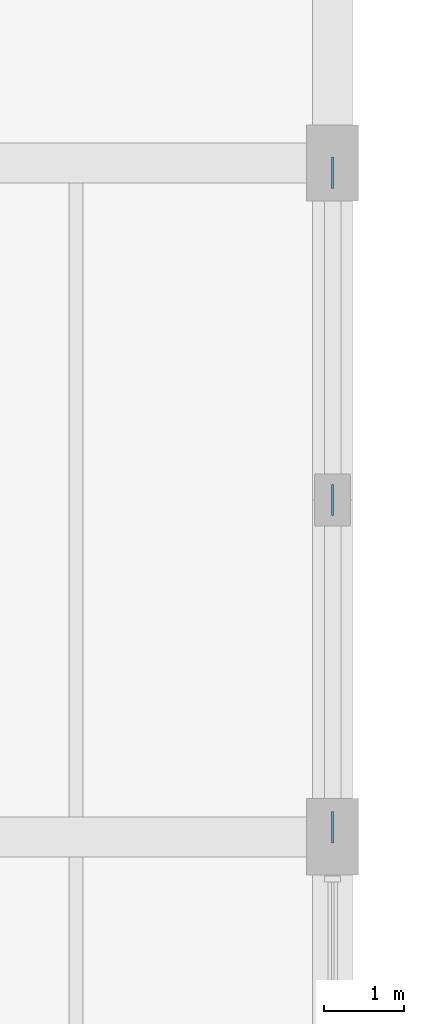
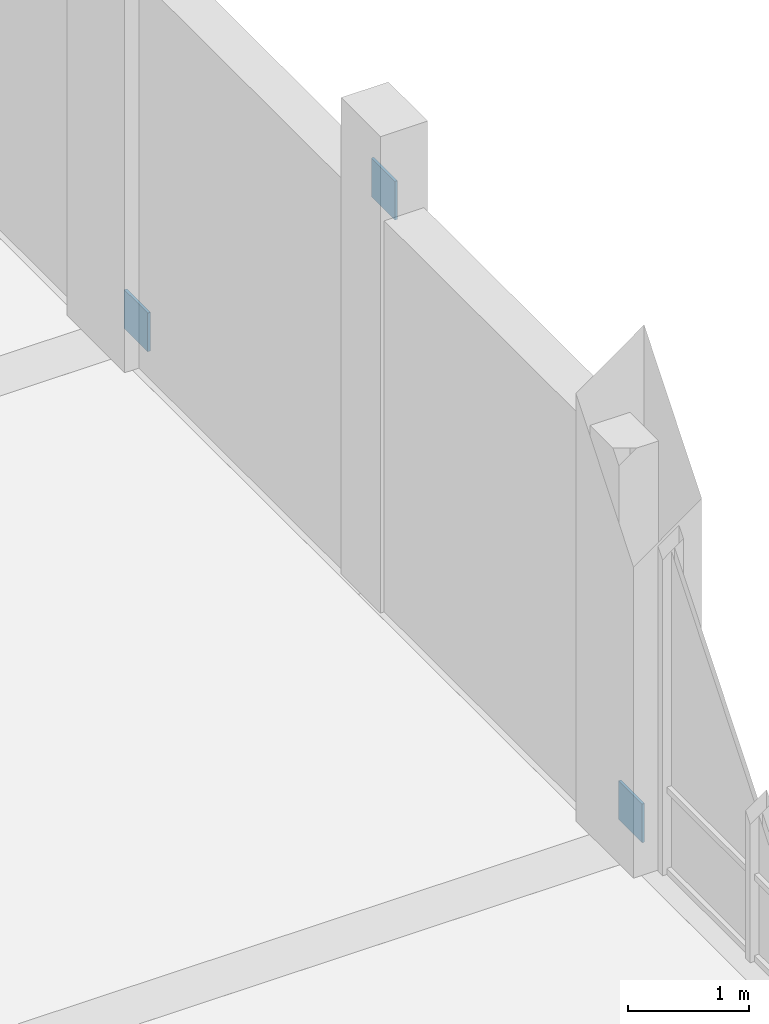
# One storey, part 116 of 152: 3 plates.
"""IFC4 building model written with IfcOpenShell, lengths in metres."""

from ifc_helpers import new_model, si_unit, direction, frame, origin, origin_2d, place, context, subcontext, project, spatial, rectangle, extrude, material, layer, layer_set, type_object, element, save


model = new_model("IFC4")

# Units and contexts
model_context = context("Model", 3, precision=1e-05, world=origin(), true_north=direction((0.0, 1.0)))
body_context = subcontext(model_context, "Body", "Model", "MODEL_VIEW")
ifc_project = project(units=[si_unit("LENGTHUNIT", "METRE"), si_unit("AREAUNIT", "SQUARE_METRE"), si_unit("VOLUMEUNIT", "CUBIC_METRE"), si_unit("PLANEANGLEUNIT", "RADIAN"), si_unit("MASSUNIT", "GRAM", prefix="KILO")], contexts=[model_context])

# Site, building, storey
site_placement = place(None, origin())
site = spatial("IfcSite", under=ifc_project, at=site_placement, CompositionType="ELEMENT")
building_placement = place(site_placement, origin())
building = spatial("IfcBuilding", under=site, at=building_placement, Name="Oolite Switchyard Hospital", CompositionType="ELEMENT")
storey_placement = place(building_placement, frame((0.0, 0.0, 5.10009765625)))
storey = spatial("IfcBuildingStorey", under=building, at=storey_placement, Name="L01", CompositionType="ELEMENT", Elevation=5.10009765625)

# Plates
ifc_material = material(Name="Steel ASTM A572 Grade 50", Category="steel")
ifc_layer = layer(ifc_material, 0.02587890625)
ifc_layer_set = layer_set([ifc_layer], Name="PLT-GUS-390")
plate_type = type_object("IfcPlateType", Name="PLT-GUS-390", PredefinedType="SHEET", material=ifc_layer_set)
for number, where, z_axis, x_axis, name in (
    (1, (211.199951171875, 33.719970703125, 0.0048828125), (0.0, 0.0, 1.0), (0.0, 1.0, 0.0), "L01 Brace Base Gusset Plate 109"),
    (2, (211.199951171875, 41.8798828125, 0.0048828125), (0.0, 0.0, 1.0), (0.0, 1.0, 0.0), "L01 Brace Base Gusset Plate 110"),
    (3, (211.199951171875, 37.800048828125, 3.80517578125), (0.0, 0.0, 1.0), (0.0, 1.0, 0.0), "L01 Gusset Connection Plate 111"),
):
    element("IfcPlate", number, at=place(storey_placement, frame(where, z_axis=z_axis, x_axis=x_axis)), inside=storey, type_object=plate_type, Name=name, PredefinedType="SHEET", context=body_context, shape_type="SweptSolid", body=[
        extrude(rectangle(XDim=0.389892578125, YDim=0.02587890625, at=origin_2d()), origin(), (0.0, 0.0, 1.0), 0.389892578125),
    ])

save(model, "model.ifc")
